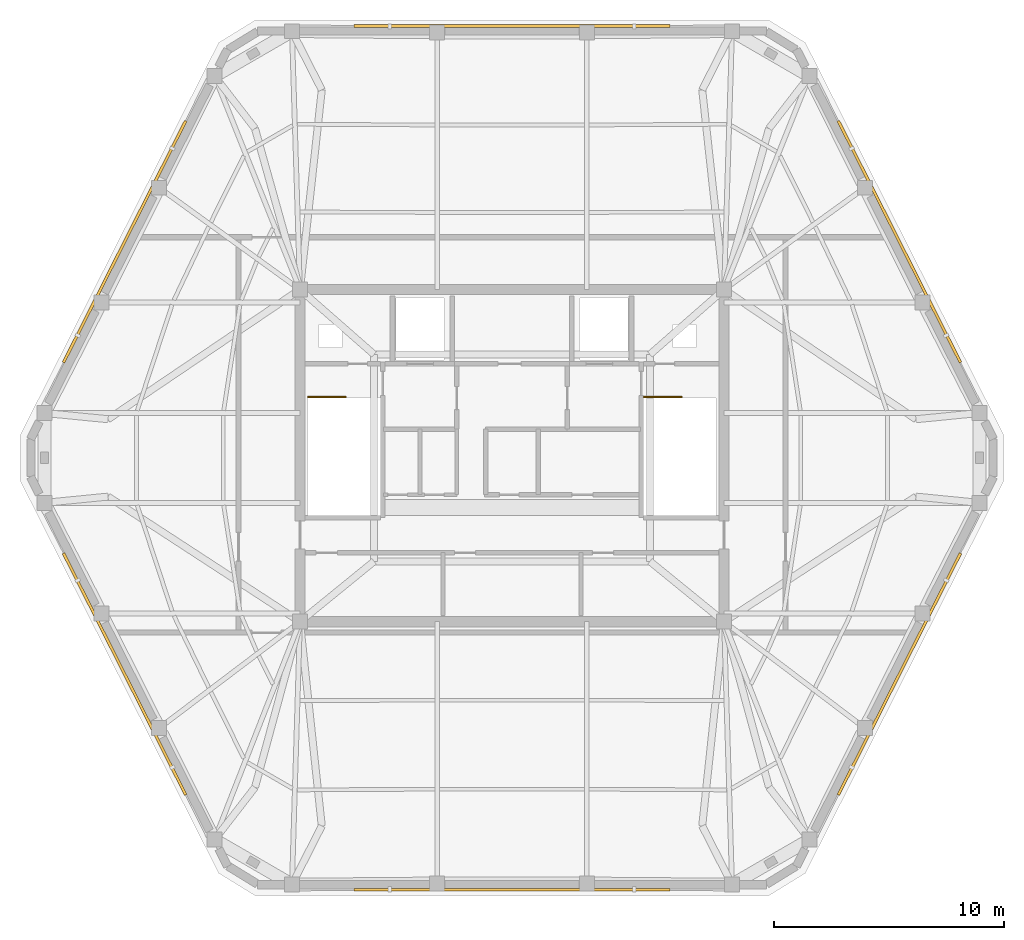
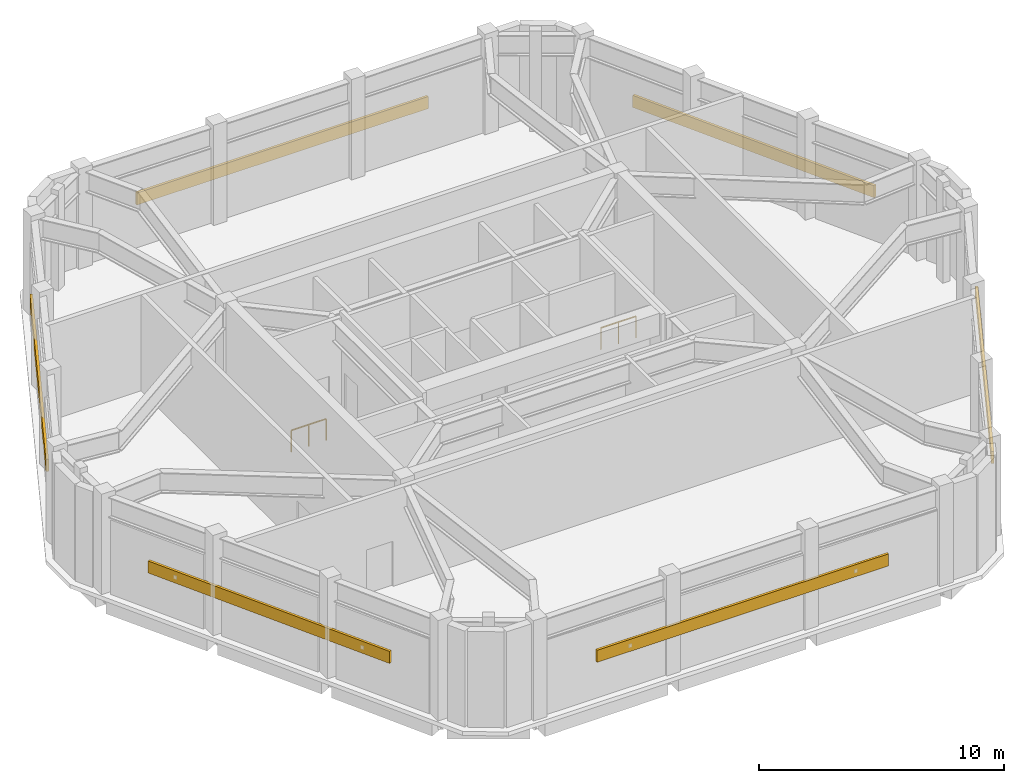
# One storey, part 6 of 6: 6 shading devices, 2 railings.
"""IFC4 building model written with IfcOpenShell, lengths in metres."""

import ifcopenshell
import ifcopenshell.guid

model = None  # the IFC model being written
_history = None  # IfcOwnerHistory: only IFC2X3 demands one
_inside = {}  # id of a spatial element -> (the spatial element, [elements in it])
_under = {}  # id of a project, library or spatial element -> (it, [spatial elements below it])
_declared = {}  # id of a project -> (the project, [libraries it declares])
_typed = {}  # id of a type object -> (the type object, [elements of that type])
_made_of = {}  # id of a material, layer set ... -> (it, [elements and type objects made of it])


def new_model(schema):
    """Start an empty IFC model of exactly this schema.

    Asked for "IFC4X3", IfcOpenShell would pick the latest addendum, in which some entities
    have other attributes; the version numbers below select the first issue.
    IFC2X3 requires an IfcOwnerHistory on every rooted entity: one is made here for all.
    """
    global model, _history
    if schema == "IFC4X3":
        model = ifcopenshell.file(schema_version=(4, 3, 0, 0))
    else:
        model = ifcopenshell.file(schema=schema)
    _inside.clear()
    _under.clear()
    _declared.clear()
    _typed.clear()
    _made_of.clear()
    _history = None
    if model.schema == "IFC2X3":
        org = make("IfcOrganization", Name="unknown")
        user = make(
            "IfcPersonAndOrganization",
            ThePerson=make("IfcPerson", FamilyName="unknown"),
            TheOrganization=org,
        )
        app = make(
            "IfcApplication",
            ApplicationDeveloper=org,
            Version="unknown",
            ApplicationFullName="unknown",
            ApplicationIdentifier="unknown",
        )
        _history = make(
            "IfcOwnerHistory",
            OwningUser=user,
            OwningApplication=app,
            ChangeAction="ADDED",
            CreationDate=0,
        )
    return model


def make(cls, **values):
    """One entity of the class cls with the attributes given. An attribute that is None is left unset."""
    return model.create_entity(
        cls, **{name: value for name, value in values.items() if value is not None}
    )


def rooted(cls, **values):
    """An entity with a GlobalId (a new one), such as an element, a storey or a relation."""
    return make(cls, GlobalId=ifcopenshell.guid.new(), OwnerHistory=_history, **values)


def si_unit(unit_type, name, prefix=None):
    """IfcSIUnit, for example si_unit("LENGTHUNIT", "METRE", prefix="MILLI")."""
    return make("IfcSIUnit", UnitType=unit_type, Prefix=prefix, Name=name)


def assignment(units):
    """IfcUnitAssignment: the units of a project."""
    return None if units is None else make("IfcUnitAssignment", Units=units)


def point(xyz):
    """IfcCartesianPoint."""
    return None if xyz is None else make("IfcCartesianPoint", Coordinates=xyz)


def direction(xyz):
    """IfcDirection."""
    return None if xyz is None else make("IfcDirection", DirectionRatios=xyz)


def frame(location, z_axis=None, x_axis=None):
    """IfcAxis2Placement3D, a coordinate frame: its origin and axes. An axis left out is left unset."""
    return make(
        "IfcAxis2Placement3D",
        Location=point(location),
        Axis=direction(z_axis),
        RefDirection=direction(x_axis),
    )


def frame_2d(location, x_axis=None):
    """IfcAxis2Placement2D, a coordinate frame in the plane: its origin and x axis."""
    return make(
        "IfcAxis2Placement2D", Location=point(location), RefDirection=direction(x_axis)
    )


def origin():
    """The frame at (0, 0, 0) with its axes left unset."""
    return frame((0.0, 0.0, 0.0))


def origin_2d():
    """The frame at (0, 0) in the plane with its x axis left unset."""
    return frame_2d((0.0, 0.0))


def place(relative_to, where):
    """IfcLocalPlacement: puts the frame where relative to a parent placement (None: the world)."""
    return make(
        "IfcLocalPlacement", PlacementRelTo=relative_to, RelativePlacement=where
    )


def context(
    kind, dimensions, precision=None, world=None, true_north=None, identifier=None
):
    """IfcGeometricRepresentationContext, for example the 3D "Model" context."""
    return make(
        "IfcGeometricRepresentationContext",
        ContextIdentifier=identifier,
        ContextType=kind,
        CoordinateSpaceDimension=dimensions,
        Precision=precision,
        WorldCoordinateSystem=world,
        TrueNorth=true_north,
    )


def subcontext(parent, identifier, kind, view, scale=None):
    """IfcGeometricRepresentationSubContext, for example "Body" below "Model"."""
    return make(
        "IfcGeometricRepresentationSubContext",
        ContextIdentifier=identifier,
        ContextType=kind,
        ParentContext=parent,
        TargetScale=scale,
        TargetView=view,
    )


def project(units=None, contexts=None):
    """IfcProject with its units and contexts."""
    return rooted(
        "IfcProject",
        Name="project",
        RepresentationContexts=contexts,
        UnitsInContext=assignment(units),
    )


def spatial(cls, under=None, at=None, **own):
    """A site, building, storey or space (cls), placed at a placement, below another one or the project."""
    s = rooted(cls, ObjectPlacement=at, **own)
    if under is not None:
        _under.setdefault(under.id(), (under, []))[1].append(s)
    return s


def profile(cls, at=None, kind="AREA", **sizes):
    """A parametric profile (cls). Its sizes go by their IFC names, for example OverallWidth=200.0."""
    return make(cls, ProfileType=kind, Position=at, **sizes)


def rectangle(**sizes):
    """IfcRectangleProfileDef."""
    return profile("IfcRectangleProfileDef", **sizes)


def extrude(swept, where, along, depth):
    """IfcExtrudedAreaSolid: the profile swept, set in the frame where, extruded along a direction by depth."""
    return make(
        "IfcExtrudedAreaSolid",
        SweptArea=swept,
        Position=where,
        ExtrudedDirection=direction(along),
        Depth=depth,
    )


def shape(context_of_items, identifier, shape_type, items):
    """IfcShapeRepresentation: the items that make up one representation, for example the "Body"."""
    return make(
        "IfcShapeRepresentation",
        ContextOfItems=context_of_items,
        RepresentationIdentifier=identifier,
        RepresentationType=shape_type,
        Items=items,
    )


def material(Name=None, Category=None):
    """IfcMaterial."""
    return make("IfcMaterial", Name=Name, Category=Category)


def layer(
    of_material, thickness, ventilated=None, Name=None, Category=None, Priority=None
):
    """IfcMaterialLayer: one layer of a wall or slab, of a material (None: an air gap)."""
    return make(
        "IfcMaterialLayer",
        Material=of_material,
        LayerThickness=thickness,
        IsVentilated=ventilated,
        Name=Name,
        Category=Category,
        Priority=Priority,
    )


def layer_set(layers, Name=None):
    """IfcMaterialLayerSet."""
    return make("IfcMaterialLayerSet", MaterialLayers=layers, LayerSetName=Name)


def made_of(thing, what):
    """Note that an element or type object is made of a material, layer set ...; save() writes the relation."""
    if what is not None:
        _made_of.setdefault(what.id(), (what, []))[1].append(thing)
    return thing


def type_object(cls, material=None, **own):
    """A type object (cls), such as IfcWallType, which elements share."""
    return made_of(rooted(cls, **own), material)


def element(
    cls,
    number,
    at=None,
    inside=None,
    cuts=None,
    type_object=None,
    material=None,
    context=None,
    identifier="Body",
    shape_type=None,
    held_by="IfcProductDefinitionShape",
    body=None,
    shapes=None,
    **own,
):
    """One element of the class cls, such as IfcWall. Its Tag is "e" and its number.

    at: its placement. inside: the storey or other place that contains it. cuts: it is an
    opening in that element (IfcRelVoidsElement). A single representation is given by context,
    identifier, shape_type and body (its items); several are given by shapes. held_by: the class
    of the entity that holds the representations. save() writes the other relations.
    """
    e = rooted(cls, Tag="e%d" % number, ObjectPlacement=at, **own)
    if body is not None:
        shapes = [shape(context, identifier, shape_type, body)]
    if shapes is not None:
        e.Representation = make(held_by, Representations=shapes)
    if inside is not None:
        _inside.setdefault(inside.id(), (inside, []))[1].append(e)
    if cuts is not None:
        rooted(
            "IfcRelVoidsElement", RelatingBuildingElement=cuts, RelatedOpeningElement=e
        )
    if type_object is not None:
        _typed.setdefault(type_object.id(), (type_object, []))[1].append(e)
    return made_of(e, material)


def aggregate(whole, parts):
    """IfcRelAggregates: a whole, such as a stair, and the parts it consists of."""
    return rooted("IfcRelAggregates", RelatingObject=whole, RelatedObjects=parts)


def save(model, path):
    """Write the relations noted so far, then the file.

    IfcRelAggregates (storeys below a building ...), IfcRelContainedInSpatialStructure (elements
    in a storey), IfcRelDefinesByType, IfcRelAssociatesMaterial and IfcRelDeclares: one each for
    every whole, place, type object, material and project.
    """
    for whole, parts in _under.values():
        aggregate(whole, parts)
    for where, things in _inside.values():
        rooted(
            "IfcRelContainedInSpatialStructure",
            RelatedElements=things,
            RelatingStructure=where,
        )
    for kind, things in _typed.values():
        rooted("IfcRelDefinesByType", RelatedObjects=things, RelatingType=kind)
    for what, things in _made_of.values():
        rooted("IfcRelAssociatesMaterial", RelatedObjects=things, RelatingMaterial=what)
    for by, libraries in _declared.values():
        rooted("IfcRelDeclares", RelatingContext=by, RelatedDefinitions=libraries)
    model.write(path)


model = new_model("IFC4")

# Units and contexts
model_context = context("Model", 3, precision=1e-05, world=origin(), true_north=direction((0.0, 1.0)))
body_context = subcontext(model_context, "Body", "Model", "MODEL_VIEW")
ifc_project = project(units=[si_unit("LENGTHUNIT", "METRE"), si_unit("AREAUNIT", "SQUARE_METRE"), si_unit("VOLUMEUNIT", "CUBIC_METRE"), si_unit("PLANEANGLEUNIT", "RADIAN"), si_unit("MASSUNIT", "GRAM", prefix="KILO")], contexts=[model_context])

# Site, building, storey
site_placement = place(None, origin())
site = spatial("IfcSite", under=ifc_project, at=site_placement, CompositionType="ELEMENT")
building_placement = place(site_placement, origin())
building = spatial("IfcBuilding", under=site, at=building_placement, Name="Cinnabar Lancet Tower", CompositionType="ELEMENT")
storey_placement = place(building_placement, frame((0.0, 0.0, 300.5)))
storey = spatial("IfcBuildingStorey", under=building, at=storey_placement, Name="L79", CompositionType="ELEMENT", Elevation=300.5)

# Shading devices
ifc_material_1 = material(Name="Anodized acoustic plant weather louvre", Category="aluminium")
ifc_layer = layer(ifc_material_1, 0.094970703125)
ifc_layer_set = layer_set([ifc_layer], Name="Anodized acoustic plant weather louvre")
shading_device_type = type_object("IfcShadingDeviceType", Name="ENV-SHD-LVR-600", PredefinedType="JALOUSIE", material=ifc_layer_set)
shading_device_1_placement = place(storey_placement, frame((32.39990234375, 7.010009765625, 1.849853515625), z_axis=(0.0, 0.0, 1.0), x_axis=(1.0, 0.0, 0.0)))
element("IfcShadingDevice", 1, at=shading_device_1_placement, inside=storey, type_object=shading_device_type, Name="L79 Face 1 Acoustic Plant Weather Louvre", PredefinedType="JALOUSIE", context=body_context, shape_type="SweptSolid", body=[
    extrude(rectangle(XDim=13.735107421875, YDim=0.1201171875, at=origin_2d()), origin(), (0.0, 0.0, 1.0), 0.60009765625),
])
for number, where, z_axis, x_axis, name in (
    (2, (49.2509765625, 16.39404296875, 1.849853515625), (0.0, 0.0, 1.0), (0.451329261197, 0.892357494498, 0.0), "L79 Face 2 Acoustic Plant Weather Louvre"),
    (3, (49.2509765625, 35.2060546875, 1.849853515625), (0.0, 0.0, 1.0), (-0.451329261197, 0.892357494498, 0.0), "L79 Face 3 Acoustic Plant Weather Louvre"),
):
    element("IfcShadingDevice", number, at=place(storey_placement, frame(where, z_axis=z_axis, x_axis=x_axis)), inside=storey, type_object=shading_device_type, Name=name, PredefinedType="JALOUSIE", context=body_context, shape_type="SweptSolid", body=[
        extrude(rectangle(XDim=11.777099609375, YDim=0.1201171875, at=origin_2d()), origin(), (0.0, 0.0, 1.0), 0.60009765625),
    ])
shading_device_2_placement = place(storey_placement, frame((32.39990234375, 44.590087890625, 1.849853515625), z_axis=(0.0, 0.0, 1.0), x_axis=(-1.0, 0.0, 0.0)))
element("IfcShadingDevice", 4, at=shading_device_2_placement, inside=storey, type_object=shading_device_type, Name="L79 Face 4 Acoustic Plant Weather Louvre", PredefinedType="JALOUSIE", context=body_context, shape_type="SweptSolid", body=[
    extrude(rectangle(XDim=13.735107421875, YDim=0.1201171875, at=origin_2d()), origin(), (0.0, 0.0, 1.0), 0.60009765625),
])
for number, where, z_axis, x_axis, name in (
    (5, (15.549072265625, 35.2060546875, 1.849853515625), (0.0, 0.0, 1.0), (-0.451329261197, -0.892357494498, 0.0), "L79 Face 5 Acoustic Plant Weather Louvre"),
    (6, (15.549072265625, 16.39404296875, 1.849853515625), (0.0, 0.0, 1.0), (0.451329261197, -0.892357494498, 0.0), "L79 Face 6 Acoustic Plant Weather Louvre"),
):
    element("IfcShadingDevice", number, at=place(storey_placement, frame(where, z_axis=z_axis, x_axis=x_axis)), inside=storey, type_object=shading_device_type, Name=name, PredefinedType="JALOUSIE", context=body_context, shape_type="SweptSolid", body=[
        extrude(rectangle(XDim=11.777099609375, YDim=0.1201171875, at=origin_2d()), origin(), (0.0, 0.0, 1.0), 0.60009765625),
    ])

# Railings
ifc_material_2 = material(Name="Painted galvanized steel balustrade", Category="steel")
railing_type = type_object("IfcRailingType", Name="GUARD-STAIR", PredefinedType="GUARDRAIL", material=ifc_material_2)
railing_1_placement = place(storey_placement, frame((23.52490234375, 28.449951171875, 0.0)))
element("IfcRailing", 7, at=railing_1_placement, inside=storey, type_object=railing_type, Name="L79 ST-1 top well guard 1", PredefinedType="GUARDRAIL", context=body_context, shape_type="SweptSolid", body=[
    extrude(rectangle(XDim=0.048095703125, YDim=0.048095703125, at=origin_2d()), frame((0.0, 0.0, 1.076171875), z_axis=(1.0, 0.0, 0.0), x_axis=(0.0, 1.0, 0.0)), (0.0, 0.0, 1.0), 1.650146484375),
    extrude(rectangle(XDim=0.0419921875, YDim=0.0419921875, at=origin_2d()), origin(), (0.0, 0.0, 1.0), 1.052001953125),
    extrude(rectangle(XDim=0.0419921875, YDim=0.0419921875, at=origin_2d()), frame((0.8251953125, 0.0, 0.0)), (0.0, 0.0, 1.0), 1.052001953125),
    extrude(rectangle(XDim=0.0419921875, YDim=0.0419921875, at=origin_2d()), frame((1.650146484375, 0.0, 0.0)), (0.0, 0.0, 1.0), 1.052001953125),
])
railing_2_placement = place(storey_placement, frame((38.125, 28.449951171875, 0.0)))
element("IfcRailing", 8, at=railing_2_placement, inside=storey, type_object=railing_type, Name="L79 ST-2 top well guard 1", PredefinedType="GUARDRAIL", context=body_context, shape_type="SweptSolid", body=[
    extrude(rectangle(XDim=0.048095703125, YDim=0.048095703125, at=origin_2d()), frame((0.0, 0.0, 1.076171875), z_axis=(1.0, 0.0, 0.0), x_axis=(0.0, 1.0, 0.0)), (0.0, 0.0, 1.0), 1.64990234375),
    extrude(rectangle(XDim=0.0419921875, YDim=0.0419921875, at=origin_2d()), origin(), (0.0, 0.0, 1.0), 1.052001953125),
    extrude(rectangle(XDim=0.0419921875, YDim=0.0419921875, at=origin_2d()), frame((0.824951171875, 0.0, 0.0)), (0.0, 0.0, 1.0), 1.052001953125),
    extrude(rectangle(XDim=0.0419921875, YDim=0.0419921875, at=origin_2d()), frame((1.64990234375, 0.0, 0.0)), (0.0, 0.0, 1.0), 1.052001953125),
])

save(model, "model.ifc")
